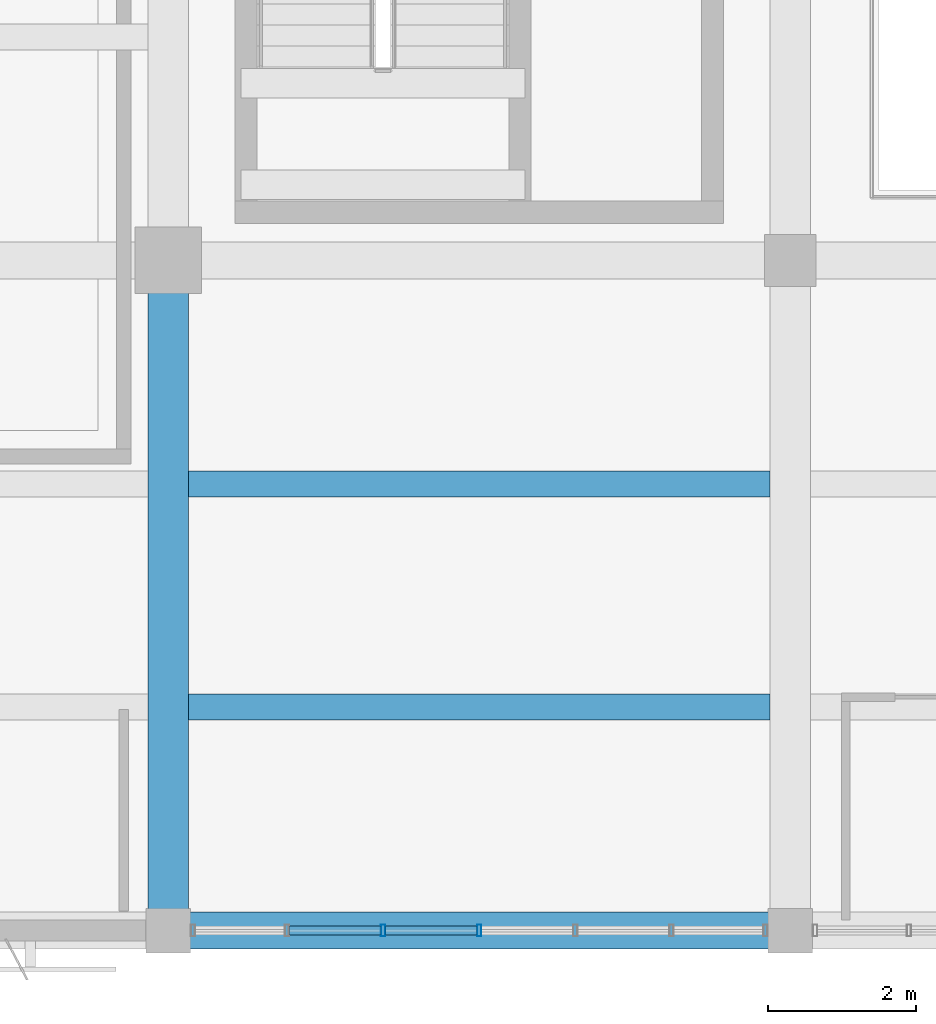
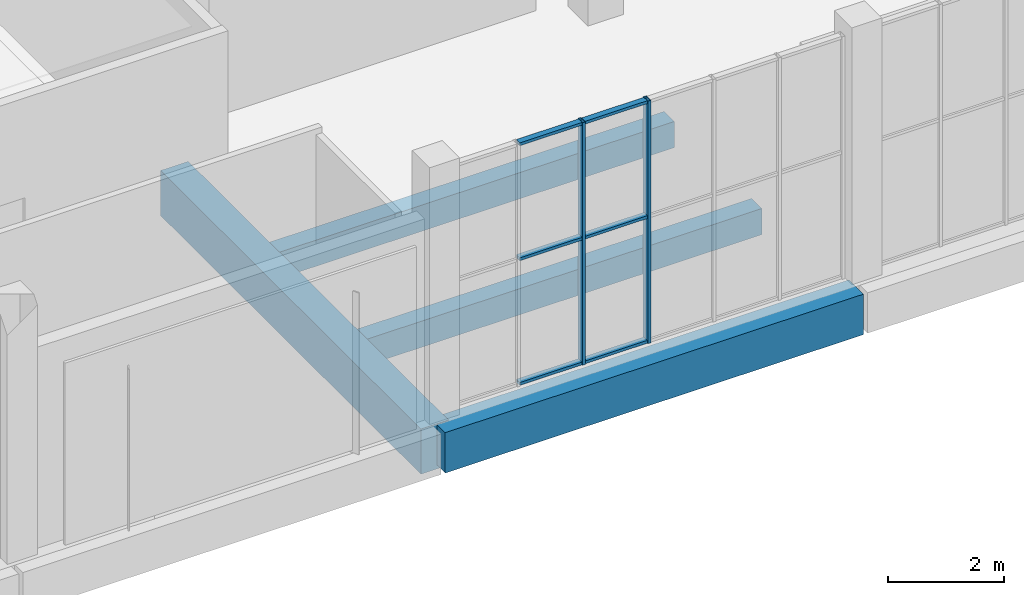
# One storey, part 12 of 132: 8 members, 4 beams, 1 element without a shape of its own.
"""IFC4 building model written with IfcOpenShell, lengths in metres."""

from ifc_helpers import new_model, si_unit, direction, frame, origin, origin_2d, place, context, subcontext, project, spatial, rectangle, hollow_rectangle, extrude, material, material_profile, profile_set, type_object, element, aggregate, save


model = new_model("IFC4")

# Units and contexts
model_context = context("Model", 3, precision=1e-05, world=origin(), true_north=direction((0.0, 1.0)))
body_context = subcontext(model_context, "Body", "Model", "MODEL_VIEW")
ifc_project = project(units=[si_unit("LENGTHUNIT", "METRE"), si_unit("AREAUNIT", "SQUARE_METRE"), si_unit("VOLUMEUNIT", "CUBIC_METRE"), si_unit("PLANEANGLEUNIT", "RADIAN"), si_unit("MASSUNIT", "GRAM", prefix="KILO")], contexts=[model_context])

# Site, building, storey
site_placement = place(None, origin())
site = spatial("IfcSite", under=ifc_project, at=site_placement, CompositionType="ELEMENT")
building_placement = place(site_placement, origin())
building = spatial("IfcBuilding", under=site, at=building_placement, Name="Khurvash Pelagic Aquarium", CompositionType="ELEMENT")
storey_placement = place(building_placement, frame((0.0, 0.0, 5.39990234375)))
storey = spatial("IfcBuildingStorey", under=building, at=storey_placement, Name="L01", CompositionType="ELEMENT", Elevation=5.39990234375)

# Beam
ifc_material_1 = material(Name="Concrete C40/50", Category="concrete")
ifc_material_profile_1 = material_profile(ifc_material_1, rectangle(XDim=0.550048828125, YDim=0.949951171875, at=origin_2d()), Name="RC550X950")
ifc_profile_set_1 = profile_set([ifc_material_profile_1], Name="Concrete C40/50")
beam_type_1 = type_object("IfcBeamType", Name="BM-02", PredefinedType="BEAM", material=ifc_profile_set_1)
beam_1_placement = place(storey_placement, frame((58.800048828125, 2.639892578125, -0.784912109375), z_axis=(0.0, 1.0, 0.0), x_axis=(-1.0, 0.0, 0.0)))
element("IfcBeam", 1, at=beam_1_placement, inside=storey, type_object=beam_type_1, Name="L01 Primary Girder BM-02 00388", PredefinedType="BEAM", context=body_context, shape_type="SweptSolid", body=[
    extrude(rectangle(XDim=0.550048828125, YDim=0.949951171875, at=origin_2d()), origin(), (0.0, 0.0, 1.0), 8.97021484375),
])

# Curtain wall, members
ifc_material_2 = material(Name="Anodised aluminium and low-E laminated glass", Category="aluminium")
curtain_wall_type = type_object("IfcCurtainWallType", Name="CW-05", PredefinedType="USERDEFINED", material=ifc_material_2)
curtain_wall_placement = place(storey_placement, origin())
curtain_wall = element("IfcCurtainWall", 2, at=curtain_wall_placement, inside=storey, type_object=curtain_wall_type, Name="L01 Facade Unitised Curtain Wall CW-05 0104", ObjectType="UNITISED CURTAIN WALL", PredefinedType="USERDEFINED")
ifc_material_3 = material(Name="Extruded aluminium AW-6063-T6", Category="aluminium")
ifc_material_profile_2 = material_profile(ifc_material_3, hollow_rectangle(XDim=0.06005859375, YDim=0.159912109375, WallThickness=0.00390625, at=origin_2d()), Name="CWM60X160X4")
ifc_profile_set_2 = profile_set([ifc_material_profile_2], Name="Extruded aluminium AW-6063-T6")
member_type_1 = type_object("IfcMemberType", Name="CM-02", PredefinedType="MULLION", material=ifc_profile_set_2)
member_1_placement = place(storey_placement, frame((61.70166015625, 2.60009765625, 0.0), z_axis=(0.0, 0.0, 1.0), x_axis=(1.0, 0.0, 0.0)))
member_1 = element("IfcMember", 3, at=member_1_placement, type_object=member_type_1, Name="CW-05 mullion 3", PredefinedType="MULLION", context=body_context, shape_type="SweptSolid", body=[
    extrude(hollow_rectangle(XDim=0.06005859375, YDim=0.159912109375, WallThickness=0.00390625, at=origin_2d()), origin(), (0.0, 0.0, 1.0), 5.10009765625),
])
member_2_placement = place(storey_placement, frame((63.0, 2.60009765625, 0.0), z_axis=(0.0, 0.0, 1.0), x_axis=(1.0, 0.0, 0.0)))
member_2 = element("IfcMember", 4, at=member_2_placement, type_object=member_type_1, Name="CW-05 mullion 4", PredefinedType="MULLION", context=body_context, shape_type="SweptSolid", body=[
    extrude(hollow_rectangle(XDim=0.06005859375, YDim=0.159912109375, WallThickness=0.00390625, at=origin_2d()), origin(), (0.0, 0.0, 1.0), 5.10009765625),
])
ifc_material_profile_3 = material_profile(ifc_material_3, hollow_rectangle(XDim=0.1201171875, YDim=0.06005859375, WallThickness=0.00390625, at=origin_2d()), Name="CWT120X60X4")
ifc_profile_set_3 = profile_set([ifc_material_profile_3], Name="Extruded aluminium AW-6063-T6")
member_type_2 = type_object("IfcMemberType", Name="CT-02", PredefinedType="USERDEFINED", material=ifc_profile_set_3)
member_3_placement = place(storey_placement, frame((60.433349609375, 2.60009765625, 0.030029296875), z_axis=(1.0, 0.0, 0.0), x_axis=(0.0, 1.0, 0.0)))
member_3 = element("IfcMember", 5, at=member_3_placement, type_object=member_type_2, Name="CW-05 transom 2.1", ObjectType="TRANSOM", PredefinedType="USERDEFINED", context=body_context, shape_type="SweptSolid", body=[
    extrude(hollow_rectangle(XDim=0.1201171875, YDim=0.06005859375, WallThickness=0.00390625, at=origin_2d()), origin(), (0.0, 0.0, 1.0), 1.23828125),
])
member_4_placement = place(storey_placement, frame((60.433349609375, 2.60009765625, 2.652099609375), z_axis=(1.0, 0.0, 0.0), x_axis=(0.0, 1.0, 0.0)))
member_4 = element("IfcMember", 6, at=member_4_placement, type_object=member_type_2, Name="CW-05 transom 2.2", ObjectType="TRANSOM", PredefinedType="USERDEFINED", context=body_context, shape_type="SweptSolid", body=[
    extrude(hollow_rectangle(XDim=0.1201171875, YDim=0.06005859375, WallThickness=0.00390625, at=origin_2d()), origin(), (0.0, 0.0, 1.0), 1.23828125),
])
member_5_placement = place(storey_placement, frame((60.433349609375, 2.60009765625, 5.070068359375), z_axis=(1.0, 0.0, 0.0), x_axis=(0.0, 1.0, 0.0)))
member_5 = element("IfcMember", 7, at=member_5_placement, type_object=member_type_2, Name="CW-05 transom 2.3", ObjectType="TRANSOM", PredefinedType="USERDEFINED", context=body_context, shape_type="SweptSolid", body=[
    extrude(hollow_rectangle(XDim=0.1201171875, YDim=0.06005859375, WallThickness=0.00390625, at=origin_2d()), origin(), (0.0, 0.0, 1.0), 1.23828125),
])
member_6_placement = place(storey_placement, frame((61.731689453125, 2.60009765625, 0.030029296875), z_axis=(1.0, 0.0, 0.0), x_axis=(0.0, 1.0, 0.0)))
member_6 = element("IfcMember", 8, at=member_6_placement, type_object=member_type_2, Name="CW-05 transom 3.1", ObjectType="TRANSOM", PredefinedType="USERDEFINED", context=body_context, shape_type="SweptSolid", body=[
    extrude(hollow_rectangle(XDim=0.1201171875, YDim=0.06005859375, WallThickness=0.00390625, at=origin_2d()), origin(), (0.0, 0.0, 1.0), 1.23828125),
])
member_7_placement = place(storey_placement, frame((61.731689453125, 2.60009765625, 2.652099609375), z_axis=(1.0, 0.0, 0.0), x_axis=(0.0, 1.0, 0.0)))
member_7 = element("IfcMember", 9, at=member_7_placement, type_object=member_type_2, Name="CW-05 transom 3.2", ObjectType="TRANSOM", PredefinedType="USERDEFINED", context=body_context, shape_type="SweptSolid", body=[
    extrude(hollow_rectangle(XDim=0.1201171875, YDim=0.06005859375, WallThickness=0.00390625, at=origin_2d()), origin(), (0.0, 0.0, 1.0), 1.23828125),
])
member_8_placement = place(storey_placement, frame((61.731689453125, 2.60009765625, 5.070068359375), z_axis=(1.0, 0.0, 0.0), x_axis=(0.0, 1.0, 0.0)))
member_8 = element("IfcMember", 10, at=member_8_placement, type_object=member_type_2, Name="CW-05 transom 3.3", ObjectType="TRANSOM", PredefinedType="USERDEFINED", context=body_context, shape_type="SweptSolid", body=[
    extrude(hollow_rectangle(XDim=0.1201171875, YDim=0.06005859375, WallThickness=0.00390625, at=origin_2d()), origin(), (0.0, 0.0, 1.0), 1.23828125),
])
aggregate(curtain_wall, [member_1, member_2, member_3, member_4, member_5, member_6, member_7, member_8])

# Beams
ifc_material_4 = material(Name="Concrete C35/45", Category="concrete")
ifc_material_profile_4 = material_profile(ifc_material_4, rectangle(XDim=0.35009765625, YDim=0.550048828125, at=origin_2d()), Name="RC350X550")
ifc_profile_set_4 = profile_set([ifc_material_profile_4], Name="Concrete C35/45")
beam_type_2 = type_object("IfcBeamType", Name="JS-01", PredefinedType="JOIST", material=ifc_profile_set_4)
for number, where, z_axis, x_axis, name in (
    (11, (59.074951171875, 5.616943359375, -0.5849609375), (1.0, 0.0, 0.0), (0.0, 1.0, 0.0), "L01 Floor Joist JS-01 00500"),
    (12, (59.074951171875, 8.633056640625, -0.5849609375), (1.0, 0.0, 0.0), (0.0, 1.0, 0.0), "L01 Floor Joist JS-01 00501"),
):
    element("IfcBeam", number, at=place(storey_placement, frame(where, z_axis=z_axis, x_axis=x_axis)), inside=storey, type_object=beam_type_2, Name=name, PredefinedType="JOIST", context=body_context, shape_type="SweptSolid", body=[
        extrude(rectangle(XDim=0.35009765625, YDim=0.550048828125, at=origin_2d()), origin(), (0.0, 0.0, 1.0), 7.85009765625),
    ])
ifc_material_profile_5 = material_profile(ifc_material_1, rectangle(XDim=0.5, YDim=0.85009765625, at=origin_2d()), Name="RC500X850")
ifc_profile_set_5 = profile_set([ifc_material_profile_5], Name="Concrete C40/50")
beam_type_3 = type_object("IfcBeamType", Name="SEB-03", PredefinedType="SPANDREL", material=ifc_profile_set_5)
beam_2_placement = place(storey_placement, frame((58.840087890625, 2.60009765625, -0.744873046875), z_axis=(1.0, 0.0, 0.0), x_axis=(0.0, 1.0, 0.0)))
element("IfcBeam", 13, at=beam_2_placement, inside=storey, type_object=beam_type_3, Name="L01 Primary Girder SEB-03 00245", PredefinedType="SPANDREL", context=body_context, shape_type="SweptSolid", body=[
    extrude(rectangle(XDim=0.5, YDim=0.85009765625, at=origin_2d()), origin(), (0.0, 0.0, 1.0), 8.31982421875),
])

save(model, "model.ifc")
